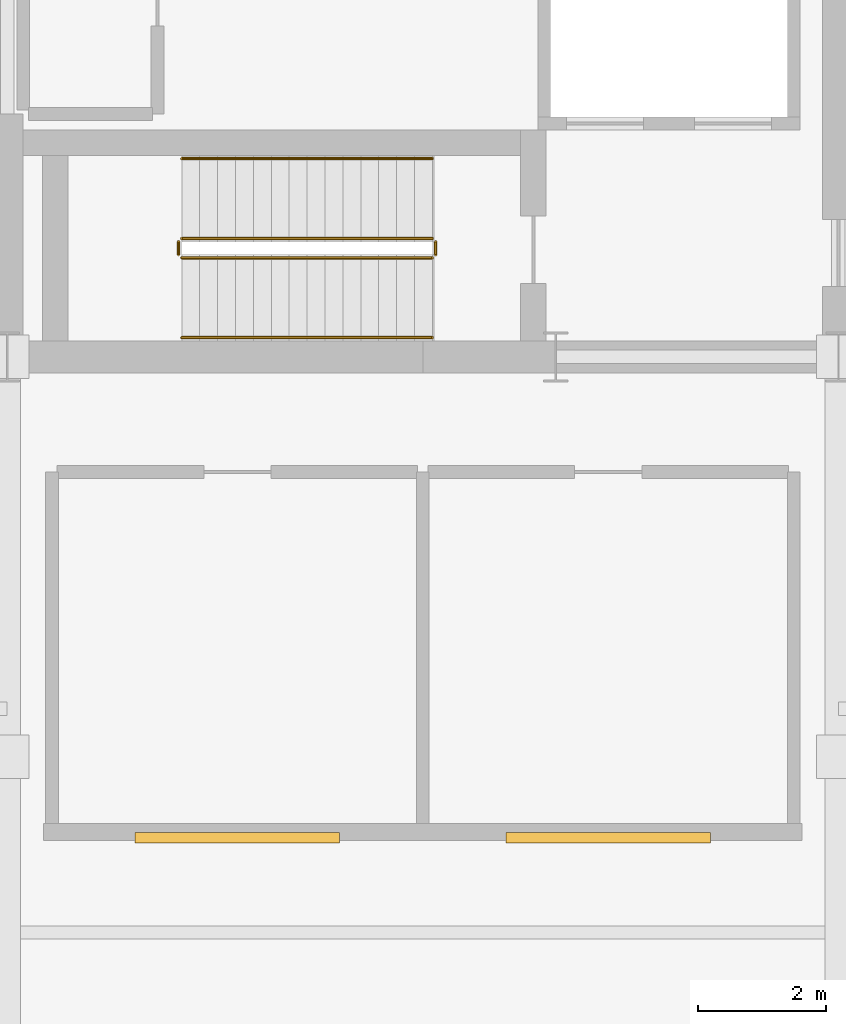
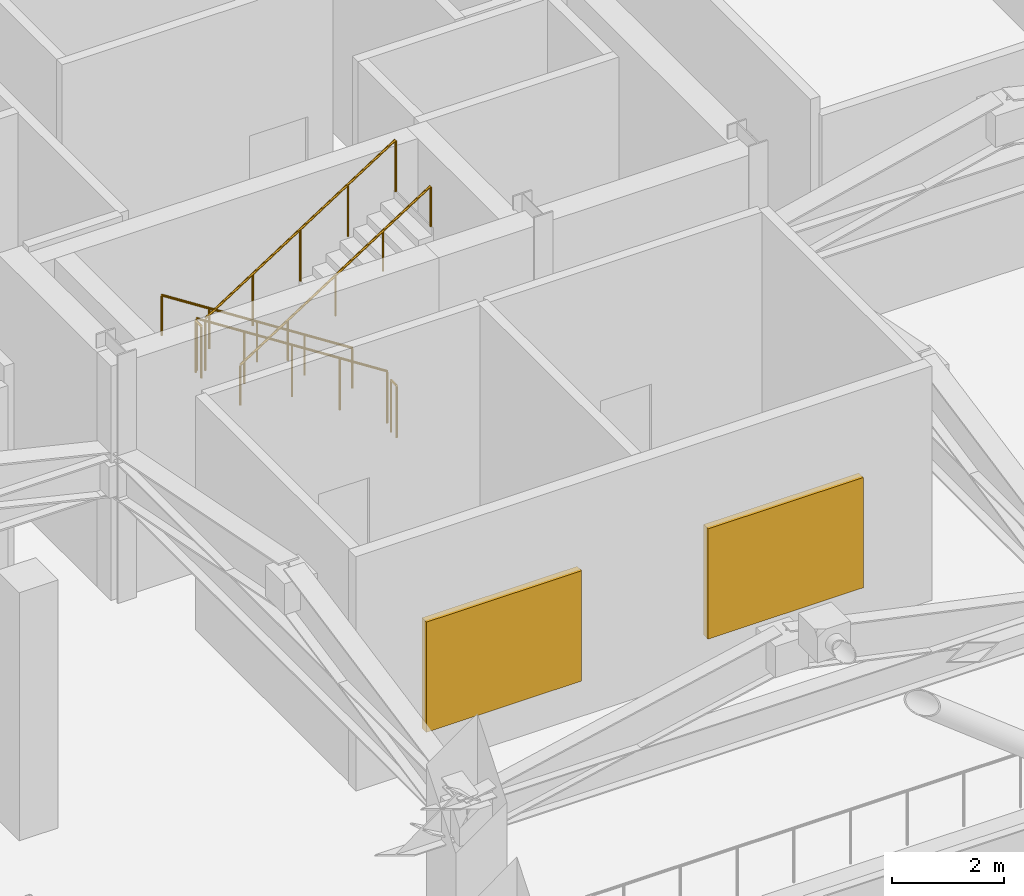
# One storey, part 6 of 9: 6 railings, 2 shading devices.
"""IFC4 building model written with IfcOpenShell, lengths in metres."""

from ifc_helpers import new_model, si_unit, direction, frame, origin, origin_2d, place, context, subcontext, project, spatial, rectangle, circle, extrude, material, type_object, element, save


model = new_model("IFC4")

# Units and contexts
model_context = context("Model", 3, precision=1e-05, world=origin(), true_north=direction((0.0, 1.0)))
body_context = subcontext(model_context, "Body", "Model", "MODEL_VIEW")
ifc_project = project(units=[si_unit("LENGTHUNIT", "METRE"), si_unit("AREAUNIT", "SQUARE_METRE"), si_unit("VOLUMEUNIT", "CUBIC_METRE"), si_unit("PLANEANGLEUNIT", "RADIAN"), si_unit("MASSUNIT", "GRAM", prefix="KILO")], contexts=[model_context])

# Site, building, storey
site_placement = place(None, origin())
site = spatial("IfcSite", under=ifc_project, at=site_placement, CompositionType="ELEMENT")
building_placement = place(site_placement, origin())
building = spatial("IfcBuilding", under=site, at=building_placement, Name="Barlavira Tower and Art Museum", CompositionType="ELEMENT")
storey_placement = place(building_placement, frame((0.0, 0.0, 212.39990234375)))
storey = spatial("IfcBuildingStorey", under=building, at=storey_placement, Name="L55", CompositionType="ELEMENT", Elevation=212.39990234375)

# Shading devices
ifc_material_1 = material(Name="Pale anodised aluminium", Category="aluminium")
shading_device_type = type_object("IfcShadingDeviceType", Name="Crown Acoustic Weatherproof Plant Louvre Panel", PredefinedType="USERDEFINED", material=ifc_material_1)
for number, where, z_axis, x_axis, name in (
    (1, (-2.89990234375, -15.02001953125, 0.800048828125), (0.0, 0.0, 1.0), (1.0, 0.0, 0.0), "L55 Plant Intake Louvre 1"),
    (2, (2.89990234375, -15.02001953125, 0.800048828125), (0.0, 0.0, 1.0), (1.0, 0.0, 0.0), "L55 Plant Intake Louvre 2"),
):
    element("IfcShadingDevice", number, at=place(storey_placement, frame(where, z_axis=z_axis, x_axis=x_axis)), inside=storey, type_object=shading_device_type, Name=name, ObjectType="LOUVER", PredefinedType="USERDEFINED", context=body_context, shape_type="SweptSolid", body=[
        extrude(rectangle(XDim=3.199951171875, YDim=0.159912109375, at=origin_2d()), origin(), (0.0, 0.0, 1.0), 2.39990234375),
    ])

# Railings
ifc_material_2 = material(Name="Brushed stainless steel", Category="steel")
railing_type_1 = type_object("IfcRailingType", Name="Interior Void and Landing Guard Railing 1150", PredefinedType="GUARDRAIL", material=ifc_material_2)
railing_1_placement = place(storey_placement, frame((0.14990234375, -5.64990234375, 0.18017578125)))
element("IfcRailing", 3, at=railing_1_placement, inside=storey, type_object=railing_type_1, Name="L55 ST-T1 stair guard 1", PredefinedType="GUARDRAIL", context=body_context, shape_type="SweptSolid", body=[
    extrude(circle(Radius=0.02392578125, at=origin_2d()), frame((0.0, 0.0, 1.1259765625), z_axis=(-0.841171666519, 0.0, 0.540768182723), x_axis=(0.0, -1.0, 0.0)), (0.0, 0.0, 1.0), 4.66015625),
    extrude(circle(Radius=0.02099609375, at=origin_2d()), origin(), (0.0, 0.0, 1.0), 1.101806640625),
    extrude(circle(Radius=0.02099609375, at=origin_2d()), frame((-0.97998046875, 0.0, 0.6298828125)), (0.0, 0.0, 1.0), 1.101806640625),
    extrude(circle(Radius=0.02099609375, at=origin_2d()), frame((-1.9599609375, 0.0, 1.260009765625)), (0.0, 0.0, 1.0), 1.101806640625),
    extrude(circle(Radius=0.02099609375, at=origin_2d()), frame((-2.93994140625, 0.0, 1.89013671875)), (0.0, 0.0, 1.0), 1.101806640625),
    extrude(circle(Radius=0.02099609375, at=origin_2d()), frame((-3.919921875, 0.0, 2.52001953125)), (0.0, 0.0, 1.0), 1.101806640625),
])
railing_2_placement = place(storey_placement, frame((-3.820068359375, -5.699951171875, 2.7001953125)))
element("IfcRailing", 4, at=railing_2_placement, inside=storey, type_object=railing_type_1, Name="L55 ST-T1 stair guard 2", PredefinedType="GUARDRAIL", context=body_context, shape_type="SweptSolid", body=[
    extrude(circle(Radius=0.02392578125, at=origin_2d()), frame((0.0, 0.0, 1.1259765625), z_axis=(0.0, -1.0, 0.0), x_axis=(1.0, 0.0, 0.0)), (0.0, 0.0, 1.0), 0.199951171875),
    extrude(circle(Radius=0.02099609375, at=origin_2d()), origin(), (0.0, 0.0, 1.0), 1.101806640625),
    extrude(circle(Radius=0.02099609375, at=origin_2d()), frame((0.0, -0.199951171875, 0.0)), (0.0, 0.0, 1.0), 1.101806640625),
])
railing_3_placement = place(storey_placement, frame((-3.77001953125, -5.949951171875, 2.880126953125)))
element("IfcRailing", 5, at=railing_3_placement, inside=storey, type_object=railing_type_1, Name="L55 ST-T1 stair guard 3", PredefinedType="GUARDRAIL", context=body_context, shape_type="SweptSolid", body=[
    extrude(circle(Radius=0.02392578125, at=origin_2d()), frame((0.0, 0.0, 1.1259765625), z_axis=(0.841171666519, 0.0, 0.540768182723), x_axis=(0.0, 1.0, 0.0)), (0.0, 0.0, 1.0), 4.66015625),
    extrude(circle(Radius=0.02099609375, at=origin_2d()), origin(), (0.0, 0.0, 1.0), 1.101806640625),
    extrude(circle(Radius=0.02099609375, at=origin_2d()), frame((0.97998046875, 0.0, 0.6298828125)), (0.0, 0.0, 1.0), 1.101806640625),
    extrude(circle(Radius=0.02099609375, at=origin_2d()), frame((1.9599609375, 0.0, 1.260009765625)), (0.0, 0.0, 1.0), 1.101806640625),
    extrude(circle(Radius=0.02099609375, at=origin_2d()), frame((2.93994140625, 0.0, 1.89013671875)), (0.0, 0.0, 1.0), 1.101806640625),
    extrude(circle(Radius=0.02099609375, at=origin_2d()), frame((3.919921875, 0.0, 2.52001953125)), (0.0, 0.0, 1.0), 1.101806640625),
])
railing_4_placement = place(storey_placement, frame((0.199951171875, -5.699951171875, 0.0)))
element("IfcRailing", 6, at=railing_4_placement, inside=storey, type_object=railing_type_1, Name="L55 ST-T1 stair guard 4", PredefinedType="GUARDRAIL", context=body_context, shape_type="SweptSolid", body=[
    extrude(circle(Radius=0.02392578125, at=origin_2d()), frame((0.0, 0.0, 1.1259765625), z_axis=(0.0, -1.0, 0.0), x_axis=(1.0, 0.0, 0.0)), (0.0, 0.0, 1.0), 0.199951171875),
    extrude(circle(Radius=0.02099609375, at=origin_2d()), origin(), (0.0, 0.0, 1.0), 1.101806640625),
    extrude(circle(Radius=0.02099609375, at=origin_2d()), frame((0.0, -0.199951171875, 0.0)), (0.0, 0.0, 1.0), 1.101806640625),
])
railing_type_2 = type_object("IfcRailingType", Name="Stair Pitch Tubular Steel Handrail 920", PredefinedType="HANDRAIL", material=ifc_material_2)
railing_5_placement = place(storey_placement, frame((0.14990234375, -4.39990234375, 0.18017578125)))
element("IfcRailing", 7, at=railing_5_placement, inside=storey, type_object=railing_type_2, Name="L55 ST-T1 stair handrail 1", PredefinedType="HANDRAIL", context=body_context, shape_type="SweptSolid", body=[
    extrude(circle(Radius=0.02392578125, at=origin_2d()), frame((0.0, 0.0, 0.8759765625), z_axis=(-0.841171666519, 0.0, 0.540768182723), x_axis=(0.0, -1.0, 0.0)), (0.0, 0.0, 1.0), 4.66015625),
    extrude(circle(Radius=0.02099609375, at=origin_2d()), origin(), (0.0, 0.0, 1.0), 0.851806640625),
    extrude(circle(Radius=0.02099609375, at=origin_2d()), frame((-0.97998046875, 0.0, 0.6298828125)), (0.0, 0.0, 1.0), 0.851806640625),
    extrude(circle(Radius=0.02099609375, at=origin_2d()), frame((-1.9599609375, 0.0, 1.260009765625)), (0.0, 0.0, 1.0), 0.851806640625),
    extrude(circle(Radius=0.02099609375, at=origin_2d()), frame((-2.93994140625, 0.0, 1.89013671875)), (0.0, 0.0, 1.0), 0.851806640625),
    extrude(circle(Radius=0.02099609375, at=origin_2d()), frame((-3.919921875, 0.0, 2.52001953125)), (0.0, 0.0, 1.0), 0.851806640625),
])
railing_6_placement = place(storey_placement, frame((-3.77001953125, -7.199951171875, 2.880126953125)))
element("IfcRailing", 8, at=railing_6_placement, inside=storey, type_object=railing_type_2, Name="L55 ST-T1 stair handrail 2", PredefinedType="HANDRAIL", context=body_context, shape_type="SweptSolid", body=[
    extrude(circle(Radius=0.02392578125, at=origin_2d()), frame((0.0, 0.0, 0.8759765625), z_axis=(0.841171666519, 0.0, 0.540768182723), x_axis=(0.0, 1.0, 0.0)), (0.0, 0.0, 1.0), 4.66015625),
    extrude(circle(Radius=0.02099609375, at=origin_2d()), origin(), (0.0, 0.0, 1.0), 0.851806640625),
    extrude(circle(Radius=0.02099609375, at=origin_2d()), frame((0.97998046875, 0.0, 0.6298828125)), (0.0, 0.0, 1.0), 0.851806640625),
    extrude(circle(Radius=0.02099609375, at=origin_2d()), frame((1.9599609375, 0.0, 1.260009765625)), (0.0, 0.0, 1.0), 0.851806640625),
    extrude(circle(Radius=0.02099609375, at=origin_2d()), frame((2.93994140625, 0.0, 1.89013671875)), (0.0, 0.0, 1.0), 0.851806640625),
    extrude(circle(Radius=0.02099609375, at=origin_2d()), frame((3.919921875, 0.0, 2.52001953125)), (0.0, 0.0, 1.0), 0.851806640625),
])

save(model, "model.ifc")
